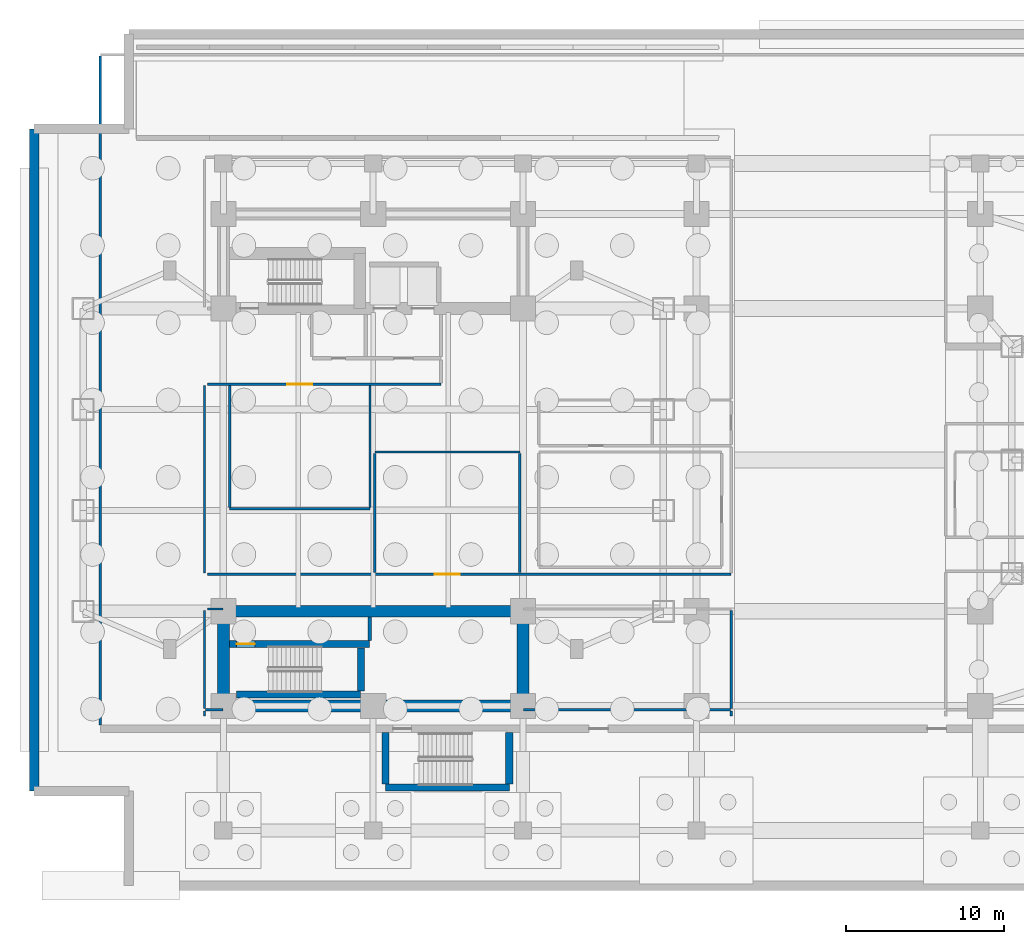
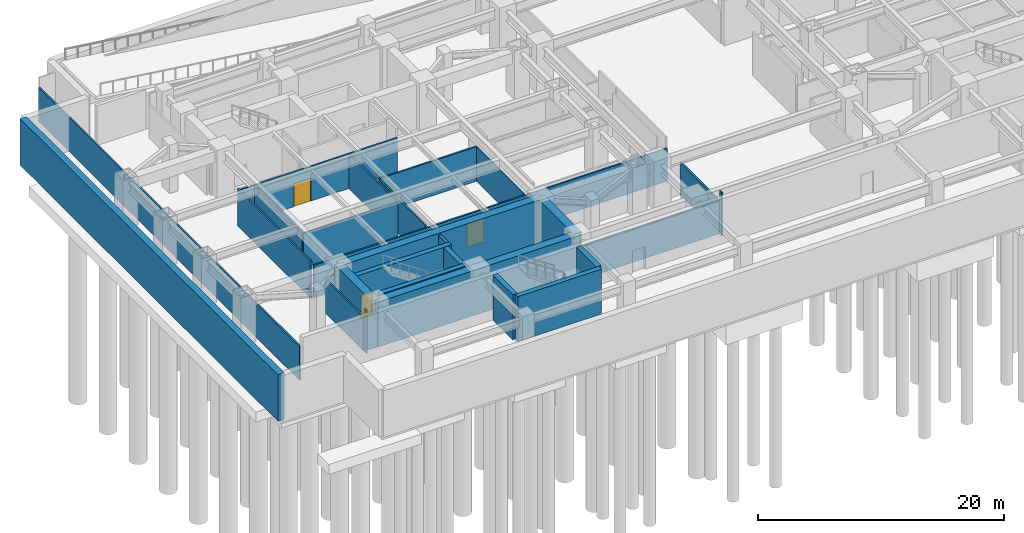
# One storey, part 5 of 16: 29 walls, 3 doors, 3 openings.
"""IFC4 building model written with IfcOpenShell, lengths in metres."""

from ifc_helpers import new_model, si_unit, direction, frame, frame_2d, origin, place, context, subcontext, project, spatial, rectangle, extrude, material, layer, layer_set, type_object, element, fill, save


model = new_model("IFC4")

# Units and contexts
model_context = context("Model", 3, precision=1e-05, world=origin(), true_north=direction((0.0, 1.0)))
body_context = subcontext(model_context, "Body", "Model", "MODEL_VIEW")
ifc_project = project(units=[si_unit("LENGTHUNIT", "METRE"), si_unit("AREAUNIT", "SQUARE_METRE"), si_unit("VOLUMEUNIT", "CUBIC_METRE"), si_unit("PLANEANGLEUNIT", "RADIAN"), si_unit("MASSUNIT", "GRAM", prefix="KILO")], contexts=[model_context])

# Site, building, storey
site_placement = place(None, origin())
site = spatial("IfcSite", under=ifc_project, at=site_placement, CompositionType="ELEMENT")
building_placement = place(site_placement, origin())
building = spatial("IfcBuilding", under=site, at=building_placement, Name="Mirazonda Arch Towers", CompositionType="ELEMENT")
storey_placement = place(building_placement, frame((0.0, 0.0, -4.800048828125)))
storey = spatial("IfcBuildingStorey", under=building, at=storey_placement, Name="B1", CompositionType="ELEMENT", Elevation=-4.800048828125)

# Walls
ifc_material_1 = material(Name="Concrete C50/60", Category="concrete")
ifc_layer_1 = layer(ifc_material_1, 0.60009765625, Name="WALL-BSMT-RET-600")
ifc_layer_set_1 = layer_set([ifc_layer_1], Name="Concrete C50/60")
wall_type_1 = type_object("IfcWallType", Name="WALL-BSMT-RET-600", PredefinedType="USERDEFINED", material=ifc_layer_set_1)
wall_1_placement = place(storey_placement, frame((-1.0, 49.0, 0.0), z_axis=(0.0, 0.0, 1.0), x_axis=(0.0, -1.0, 0.0)))
element("IfcWall", 1, at=wall_1_placement, inside=storey, type_object=wall_type_1, Name="B1 Perimeter Retaining Wall 10", ObjectType="RETAININGWALL", PredefinedType="USERDEFINED", context=body_context, shape_type="SweptSolid", body=[
    extrude(rectangle(XDim=42.0, YDim=0.60009765625, at=frame_2d((21.0, 0.0))), origin(), (0.0, 0.0, 1.0), 4.6201171875),
])
ifc_layer_2 = layer(ifc_material_1, 0.449951171875, Name="WALL-CORE-450")
ifc_layer_set_2 = layer_set([ifc_layer_2], Name="Concrete C50/60")
wall_type_2 = type_object("IfcWallType", Name="WALL-CORE-450", PredefinedType="SHEAR", material=ifc_layer_set_2)
wall_2_placement = place(storey_placement, frame((21.27001953125, 7.219970703125, 0.0), z_axis=(0.0, 0.0, 1.0), x_axis=(1.0, 0.0, 0.0)))
element("IfcWall", 2, at=wall_2_placement, inside=storey, type_object=wall_type_2, Name="B1 Stair Core Shear Wall 001", PredefinedType="SHEAR", context=body_context, shape_type="SweptSolid", body=[
    extrude(rectangle(XDim=7.85986328125, YDim=0.449951171875, at=frame_2d((3.929931640625, 0.0))), origin(), (0.0, 0.0, 1.0), 4.47998046875),
])
wall_3_placement = place(storey_placement, frame((11.81494140625, 13.1201171875, 0.0), z_axis=(0.0, 0.0, 1.0), x_axis=(1.0, 0.0, 0.0)))
element("IfcWall", 3, at=wall_3_placement, inside=storey, type_object=wall_type_2, Name="B1 Stair Core Shear Wall 007", PredefinedType="SHEAR", context=body_context, shape_type="SweptSolid", body=[
    extrude(rectangle(XDim=7.8701171875, YDim=0.449951171875, at=frame_2d((3.93505859375, 0.0))), origin(), (0.0, 0.0, 1.0), 4.47998046875),
])

# Wall, opening, door
wall_4_placement = place(storey_placement, frame((11.3701171875, 16.320068359375, 0.0), z_axis=(0.0, 0.0, 1.0), x_axis=(1.0, 0.0, 0.0)))
wall_4 = element("IfcWall", 4, at=wall_4_placement, inside=storey, type_object=wall_type_2, Name="B1 Stair Core Shear Wall 009", PredefinedType="SHEAR", context=body_context, shape_type="SweptSolid", body=[
    extrude(rectangle(XDim=8.909912109375, YDim=0.449951171875, at=frame_2d((4.455078125, 0.0))), origin(), (0.0, 0.0, 1.0), 4.47998046875),
])
opening_1_placement = place(wall_4_placement, frame((0.469970703125, 0.0, 0.0)))
opening_1 = element("IfcOpeningElement", 5, at=opening_1_placement, cuts=wall_4, Name="Opening DR-135", PredefinedType="OPENING", context=body_context, shape_type="SweptSolid", body=[
    extrude(rectangle(XDim=1.14990234375, YDim=2.199951171875, at=frame_2d((0.574951171875, 1.10009765625))), frame((0.0, 0.23486328125, 0.0), z_axis=(0.0, -1.0, 0.0), x_axis=(1.0, 0.0, 0.0)), (0.0, 0.0, 1.0), 0.469970703125),
])
ifc_material_2 = material(Name="Architectural Brushed Steel S355", Category="steel")
door_type_1 = type_object("IfcDoorType", Name="DOOR-STAIR-FD90-1150", OperationType="NOTDEFINED", PredefinedType="DOOR", material=ifc_material_2)
door_1_placement = place(opening_1_placement, origin())
door_1 = element("IfcDoor", 6, at=door_1_placement, inside=storey, type_object=door_type_1, Name="B1 Protected Exit Stair South Door", OperationType="SINGLE_SWING_RIGHT", OverallHeight=2.199951171875, OverallWidth=1.14990234375, PredefinedType="DOOR", context=body_context, shape_type="SweptSolid", body=[
    extrude(rectangle(XDim=1.14990234375, YDim=2.199951171875, at=frame_2d((0.574951171875, 1.10009765625))), frame((0.0, 0.02490234375, 0.0), z_axis=(0.0, -1.0, 0.0), x_axis=(1.0, 0.0, 0.0)), (0.0, 0.0, 1.0), 0.050048828125),
])
fill(opening_1, door_1)

# Walls
wall_5_placement = place(storey_placement, frame((19.72998046875, 13.35498046875, 0.0), z_axis=(0.0, 0.0, 1.0), x_axis=(0.0, 1.0, 0.0)))
element("IfcWall", 7, at=wall_5_placement, inside=storey, type_object=wall_type_2, Name="B1 Stair Core Shear Wall 048", PredefinedType="SHEAR", context=body_context, shape_type="SweptSolid", body=[
    extrude(rectangle(XDim=2.72998046875, YDim=0.449951171875, at=frame_2d((1.364990234375, 0.0))), origin(), (0.0, 0.0, 1.0), 4.47998046875),
])
for number, where, z_axis, x_axis, name in (
    (8, (21.27001953125, 7.455078125, 0.0), (0.0, 0.0, 1.0), (0.0, 1.0, 0.0), "B1 Stair Core Shear Wall 053"),
    (9, (29.1298828125, 7.455078125, 0.0), (0.0, 0.0, 1.0), (0.0, 1.0, 0.0), "B1 Stair Core Shear Wall 057"),
):
    element("IfcWall", number, at=place(storey_placement, frame(where, z_axis=z_axis, x_axis=x_axis)), inside=storey, type_object=wall_type_2, Name=name, PredefinedType="SHEAR", context=body_context, shape_type="SweptSolid", body=[
        extrude(rectangle(XDim=3.260009765625, YDim=0.449951171875, at=frame_2d((1.6298828125, 0.0))), origin(), (0.0, 0.0, 1.0), 4.47998046875),
    ])
ifc_material_3 = material(Name="Concrete C60/75", Category="concrete")
ifc_layer_3 = layer(ifc_material_3, 0.75, Name="WALL-CORE-750")
ifc_layer_set_3 = layer_set([ifc_layer_3], Name="Concrete C60/75")
wall_type_3 = type_object("IfcWallType", Name="WALL-CORE-750", PredefinedType="SHEAR", material=ifc_layer_set_3)
wall_6_placement = place(storey_placement, frame((11.0, 12.39990234375, 0.0), z_axis=(0.0, 0.0, 1.0), x_axis=(1.0, 0.0, 0.0)))
element("IfcWall", 10, at=wall_6_placement, inside=storey, type_object=wall_type_3, Name="B1 T1S-S Core Shear Wall", PredefinedType="SHEAR", context=body_context, shape_type="SweptSolid", body=[
    extrude(rectangle(XDim=19.0, YDim=0.75, at=frame_2d((9.5, 0.0))), origin(), (0.0, 0.0, 1.0), 4.47998046875),
])
for number, where, z_axis, x_axis, name in (
    (11, (11.0, 12.39990234375, 0.0), (0.0, 0.0, 1.0), (0.0, 1.0, 0.0), "B1 T1S-W Core Shear Wall"),
    (12, (30.0, 12.39990234375, 0.0), (0.0, 0.0, 1.0), (0.0, 1.0, 0.0), "B1 T1S-E Core Shear Wall"),
):
    element("IfcWall", number, at=place(storey_placement, frame(where, z_axis=z_axis, x_axis=x_axis)), inside=storey, type_object=wall_type_3, Name=name, PredefinedType="SHEAR", context=body_context, shape_type="SweptSolid", body=[
        extrude(rectangle(XDim=6.0, YDim=0.75, at=frame_2d((3.0, 0.0))), origin(), (0.0, 0.0, 1.0), 4.47998046875),
    ])
wall_7_placement = place(storey_placement, frame((11.0, 18.39990234375, 0.0), z_axis=(0.0, 0.0, 1.0), x_axis=(1.0, 0.0, 0.0)))
element("IfcWall", 13, at=wall_7_placement, inside=storey, type_object=wall_type_3, Name="B1 T1S-N Core Shear Wall", PredefinedType="SHEAR", context=body_context, shape_type="SweptSolid", body=[
    extrude(rectangle(XDim=19.0, YDim=0.75, at=frame_2d((9.5, 0.0))), origin(), (0.0, 0.0, 1.0), 4.47998046875),
])
ifc_material_4 = material(Name="Concrete C40/50", Category="concrete")
ifc_layer_4 = layer(ifc_material_4, 0.219970703125, Name="WALL-FFL-220")
ifc_layer_set_4 = layer_set([ifc_layer_4], Name="Concrete C40/50")
wall_type_4 = type_object("IfcWallType", Name="WALL-FFL-220", PredefinedType="SOLIDWALL", material=ifc_layer_set_4)
wall_8_placement = place(storey_placement, frame((20.280029296875, 16.554931640625, 0.0), z_axis=(0.0, 0.0, 1.0), x_axis=(0.0, 1.0, 0.0)))
element("IfcWall", 14, at=wall_8_placement, inside=storey, type_object=wall_type_4, Name="B1 Interior Partition 050", PredefinedType="SOLIDWALL", context=body_context, shape_type="SweptSolid", body=[
    extrude(rectangle(XDim=1.47509765625, YDim=0.219970703125, at=frame_2d((0.737548828125, 0.0))), origin(), (0.0, 0.0, 1.0), 4.300048828125),
])
ifc_material_5 = material(Name="Fire-Rated Gypsum Stud Partition")
ifc_layer_5 = layer(ifc_material_5, 0.14990234375, Name="WALL-PART-CORR-150")
ifc_layer_set_5 = layer_set([ifc_layer_5], Name="Fire-Rated Gypsum Stud Partition")
wall_type_5 = type_object("IfcWallType", Name="WALL-PART-CORR-150", PredefinedType="PARTITIONING", material=ifc_layer_set_5)
wall_9_placement = place(storey_placement, frame((9.85009765625, 12.14990234375, 0.0), z_axis=(0.0, 0.0, 1.0), x_axis=(1.0, 0.0, 0.0)))
element("IfcWall", 15, at=wall_9_placement, inside=storey, type_object=wall_type_5, Name="B1 Interior Partition 004", PredefinedType="PARTITIONING", context=body_context, shape_type="SweptSolid", body=[
    extrude(rectangle(XDim=1.1298828125, YDim=0.14990234375, at=frame_2d((0.56494140625, 0.0))), origin(), (0.0, 0.0, 1.0), 3.51904296875),
])
wall_10_placement = place(storey_placement, frame((30.02001953125, 12.14990234375, 0.0), z_axis=(0.0, 0.0, 1.0), x_axis=(1.0, 0.0, 0.0)))
element("IfcWall", 16, at=wall_10_placement, inside=storey, type_object=wall_type_5, Name="B1 Interior Partition 005", PredefinedType="PARTITIONING", context=body_context, shape_type="SweptSolid", body=[
    extrude(rectangle(XDim=13.1298828125, YDim=0.14990234375, at=frame_2d((6.56494140625, 0.0))), origin(), (0.0, 0.0, 1.0), 3.251953125),
])
wall_11_placement = place(storey_placement, frame((10.0, 18.550048828125, 0.0), z_axis=(0.0, 0.0, 1.0), x_axis=(1.0, 0.0, 0.0)))
element("IfcWall", 17, at=wall_11_placement, inside=storey, type_object=wall_type_5, Name="B1 Interior Partition 010", PredefinedType="PARTITIONING", context=body_context, shape_type="SweptSolid", body=[
    extrude(rectangle(XDim=0.97998046875, YDim=0.14990234375, at=frame_2d((0.489990234375, 0.0))), origin(), (0.0, 0.0, 1.0), 3.3720703125),
])

# Wall, opening, door
wall_12_placement = place(storey_placement, frame((10.0, 20.75, 0.0), z_axis=(0.0, 0.0, 1.0), x_axis=(1.0, 0.0, 0.0)))
wall_12 = element("IfcWall", 18, at=wall_12_placement, inside=storey, type_object=wall_type_5, Name="B1 Interior Partition 013", PredefinedType="PARTITIONING", context=body_context, shape_type="SweptSolid", body=[
    extrude(rectangle(XDim=33.199951171875, YDim=0.14990234375, at=frame_2d((16.60009765625, 0.0))), origin(), (0.0, 0.0, 1.0), 3.251953125),
])
opening_2_placement = place(wall_12_placement, frame((14.39990234375, 0.0, 0.0)))
opening_2 = element("IfcOpeningElement", 19, at=opening_2_placement, cuts=wall_12, Name="Opening DR-113", PredefinedType="OPENING", context=body_context, shape_type="SweptSolid", body=[
    extrude(rectangle(XDim=1.60009765625, YDim=2.300048828125, at=frame_2d((0.800048828125, 1.14990234375))), frame((0.0, 0.0849609375, 0.0), z_axis=(0.0, -1.0, 0.0), x_axis=(1.0, 0.0, 0.0)), (0.0, 0.0, 1.0), 0.169921875),
])
door_type_2 = type_object("IfcDoorType", Name="DOOR-PLANT-FD60-1600", OperationType="NOTDEFINED", PredefinedType="DOOR", material=ifc_material_2)
door_2_placement = place(opening_2_placement, origin())
door_2 = element("IfcDoor", 20, at=door_2_placement, inside=storey, type_object=door_type_2, Name="B1 Emergency Standby Diesel Generator Hall Door", OperationType="SINGLE_SWING_RIGHT", OverallHeight=2.300048828125, OverallWidth=1.60009765625, PredefinedType="DOOR", context=body_context, shape_type="SweptSolid", body=[
    extrude(rectangle(XDim=1.60009765625, YDim=2.300048828125, at=frame_2d((0.800048828125, 1.14990234375))), frame((0.0, 0.02490234375, 0.0), z_axis=(0.0, -1.0, 0.0), x_axis=(1.0, 0.0, 0.0)), (0.0, 0.0, 1.0), 0.050048828125),
])
fill(opening_2, door_2)

# Walls
wall_13_placement = place(storey_placement, frame((11.39990234375, 24.89990234375, 0.0), z_axis=(0.0, 0.0, 1.0), x_axis=(1.0, 0.0, 0.0)))
element("IfcWall", 21, at=wall_13_placement, inside=storey, type_object=wall_type_5, Name="B1 Interior Partition 018", PredefinedType="PARTITIONING", context=body_context, shape_type="SweptSolid", body=[
    extrude(rectangle(XDim=8.900146484375, YDim=0.14990234375, at=frame_2d((4.4501953125, 0.0))), origin(), (0.0, 0.0, 1.0), 3.43212890625),
])
wall_14_placement = place(storey_placement, frame((20.60009765625, 28.5, 0.0), z_axis=(0.0, 0.0, 1.0), x_axis=(1.0, 0.0, 0.0)))
element("IfcWall", 22, at=wall_14_placement, inside=storey, type_object=wall_type_5, Name="B1 Interior Partition 020", PredefinedType="PARTITIONING", context=body_context, shape_type="SweptSolid", body=[
    extrude(rectangle(XDim=9.199951171875, YDim=0.14990234375, at=frame_2d((4.60009765625, 0.0))), origin(), (0.0, 0.0, 1.0), 3.43212890625),
])

# Wall, opening, door
wall_15_placement = place(storey_placement, frame((10.0, 32.800048828125, 0.0), z_axis=(0.0, 0.0, 1.0), x_axis=(1.0, 0.0, 0.0)))
wall_15 = element("IfcWall", 23, at=wall_15_placement, inside=storey, type_object=wall_type_5, Name="B1 Interior Partition 029", PredefinedType="PARTITIONING", context=body_context, shape_type="SweptSolid", body=[
    extrude(rectangle(XDim=14.800048828125, YDim=0.14990234375, at=frame_2d((7.39990234375, 0.0))), origin(), (0.0, 0.0, 1.0), 3.43212890625),
])
opening_3_placement = place(wall_15_placement, frame((5.050048828125, 0.0, 0.0)))
opening_3 = element("IfcOpeningElement", 24, at=opening_3_placement, cuts=wall_15, Name="Opening DR-113", PredefinedType="OPENING", context=body_context, shape_type="SweptSolid", body=[
    extrude(rectangle(XDim=1.60009765625, YDim=2.300048828125, at=frame_2d((0.800048828125, 1.14990234375))), frame((0.0, 0.0849609375, 0.0), z_axis=(0.0, -1.0, 0.0), x_axis=(1.0, 0.0, 0.0)), (0.0, 0.0, 1.0), 0.169921875),
])
door_3_placement = place(opening_3_placement, origin())
door_3 = element("IfcDoor", 25, at=door_3_placement, inside=storey, type_object=door_type_2, Name="B1 High-Voltage Transformer Substation Hall Door", OperationType="SINGLE_SWING_LEFT", OverallHeight=2.300048828125, OverallWidth=1.60009765625, PredefinedType="DOOR", context=body_context, shape_type="SweptSolid", body=[
    extrude(rectangle(XDim=1.60009765625, YDim=2.300048828125, at=frame_2d((0.800048828125, 1.14990234375))), frame((0.0, 0.02490234375, 0.0), z_axis=(0.0, -1.0, 0.0), x_axis=(1.0, 0.0, 0.0)), (0.0, 0.0, 1.0), 0.050048828125),
])
fill(opening_3, door_3)

# Walls
wall_16_placement = place(storey_placement, frame((3.199951171875, 11.18505859375, 0.0), z_axis=(0.0, 0.0, 1.0), x_axis=(0.0, 1.0, 0.0)))
element("IfcWall", 26, at=wall_16_placement, inside=storey, type_object=wall_type_5, Name="B1 Interior Partition 041", PredefinedType="PARTITIONING", context=body_context, shape_type="SweptSolid", body=[
    extrude(rectangle(XDim=42.429931640625, YDim=0.14990234375, at=frame_2d((21.21484375, 0.0))), origin(), (0.0, 0.0, 1.0), 3.3720703125),
])
wall_17_placement = place(storey_placement, frame((9.800048828125, 11.75, 0.0), z_axis=(0.0, 0.0, 1.0), x_axis=(0.0, 1.0, 0.0)))
element("IfcWall", 27, at=wall_17_placement, inside=storey, type_object=wall_type_5, Name="B1 Interior Partition 042", PredefinedType="PARTITIONING", context=body_context, shape_type="SweptSolid", body=[
    extrude(rectangle(XDim=0.31494140625, YDim=0.14990234375, at=frame_2d((0.157470703125, 0.0))), origin(), (0.0, 0.0, 1.0), 4.300048828125),
])
wall_18_placement = place(storey_placement, frame((9.800048828125, 12.235107421875, 0.0), z_axis=(0.0, 0.0, 1.0), x_axis=(0.0, 1.0, 0.0)))
element("IfcWall", 28, at=wall_18_placement, inside=storey, type_object=wall_type_5, Name="B1 Interior Partition 043", PredefinedType="PARTITIONING", context=body_context, shape_type="SweptSolid", body=[
    extrude(rectangle(XDim=6.22998046875, YDim=0.14990234375, at=frame_2d((3.114990234375, 0.0))), origin(), (0.0, 0.0, 1.0), 3.3720703125),
])
wall_19_placement = place(storey_placement, frame((9.800048828125, 20.8349609375, 0.0), z_axis=(0.0, 0.0, 1.0), x_axis=(0.0, 1.0, 0.0)))
element("IfcWall", 29, at=wall_19_placement, inside=storey, type_object=wall_type_5, Name="B1 Interior Partition 044", PredefinedType="PARTITIONING", context=body_context, shape_type="SweptSolid", body=[
    extrude(rectangle(XDim=11.880126953125, YDim=0.14990234375, at=frame_2d((5.93994140625, 0.0))), origin(), (0.0, 0.0, 1.0), 3.698974609375),
])
for number, where, z_axis, x_axis, name in (
    (30, (11.39990234375, 24.985107421875, 0.0), (0.0, 0.0, 1.0), (0.0, 1.0, 0.0), "B1 Interior Partition 046"),
    (31, (20.300048828125, 24.985107421875, 0.0), (0.0, 0.0, 1.0), (0.0, 1.0, 0.0), "B1 Interior Partition 051"),
):
    element("IfcWall", number, at=place(storey_placement, frame(where, z_axis=z_axis, x_axis=x_axis)), inside=storey, type_object=wall_type_5, Name=name, PredefinedType="PARTITIONING", context=body_context, shape_type="SweptSolid", body=[
        extrude(rectangle(XDim=7.72998046875, YDim=0.14990234375, at=frame_2d((3.864990234375, 0.0))), origin(), (0.0, 0.0, 1.0), 3.43212890625),
    ])
for number, where, z_axis, x_axis, name in (
    (32, (20.60009765625, 20.85009765625, 0.0), (0.0, 0.0, 1.0), (0.0, 1.0, 0.0), "B1 Interior Partition 052"),
    (33, (29.800048828125, 20.85009765625, 0.0), (0.0, 0.0, 1.0), (0.0, 1.0, 0.0), "B1 Interior Partition 058"),
):
    element("IfcWall", number, at=place(storey_placement, frame(where, z_axis=z_axis, x_axis=x_axis)), inside=storey, type_object=wall_type_5, Name=name, PredefinedType="PARTITIONING", context=body_context, shape_type="SweptSolid", body=[
        extrude(rectangle(XDim=7.56494140625, YDim=0.14990234375, at=frame_2d((3.782470703125, 0.0))), origin(), (0.0, 0.0, 1.0), 3.43212890625),
    ])
wall_20_placement = place(storey_placement, frame((43.199951171875, 11.75, 0.0), z_axis=(0.0, 0.0, 1.0), x_axis=(0.0, 1.0, 0.0)))
element("IfcWall", 34, at=wall_20_placement, inside=storey, type_object=wall_type_5, Name="B1 Interior Partition 063", PredefinedType="PARTITIONING", context=body_context, shape_type="SweptSolid", body=[
    extrude(rectangle(XDim=0.31494140625, YDim=0.14990234375, at=frame_2d((0.157470703125, 0.0))), origin(), (0.0, 0.0, 1.0), 4.300048828125),
])
wall_21_placement = place(storey_placement, frame((43.199951171875, 12.235107421875, 0.0), z_axis=(0.0, 0.0, 1.0), x_axis=(0.0, 1.0, 0.0)))
element("IfcWall", 35, at=wall_21_placement, inside=storey, type_object=wall_type_5, Name="B1 Interior Partition 064", PredefinedType="PARTITIONING", context=body_context, shape_type="SweptSolid", body=[
    extrude(rectangle(XDim=6.22998046875, YDim=0.14990234375, at=frame_2d((3.114990234375, 0.0))), origin(), (0.0, 0.0, 1.0), 3.251953125),
])

save(model, "model.ifc")
